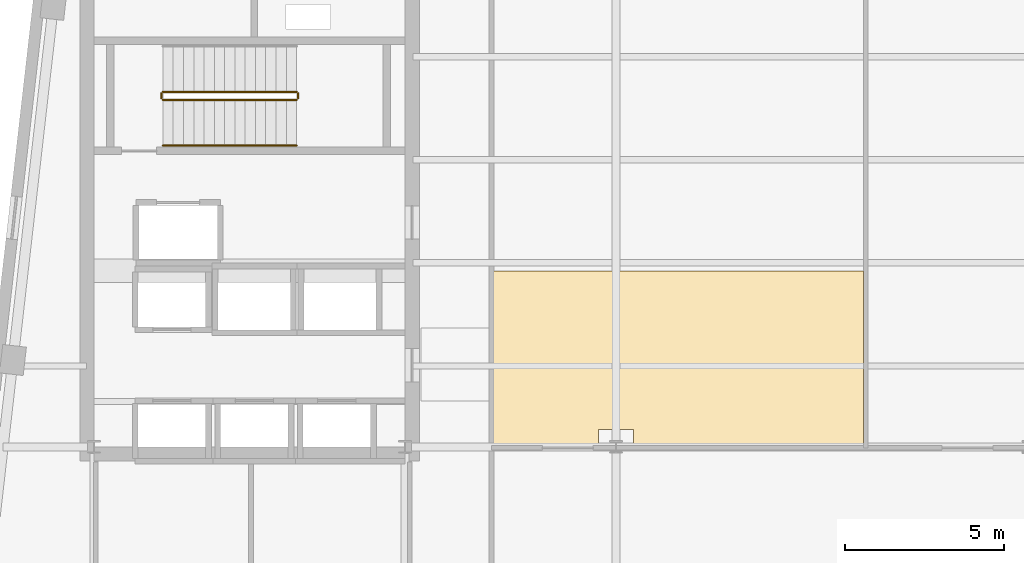
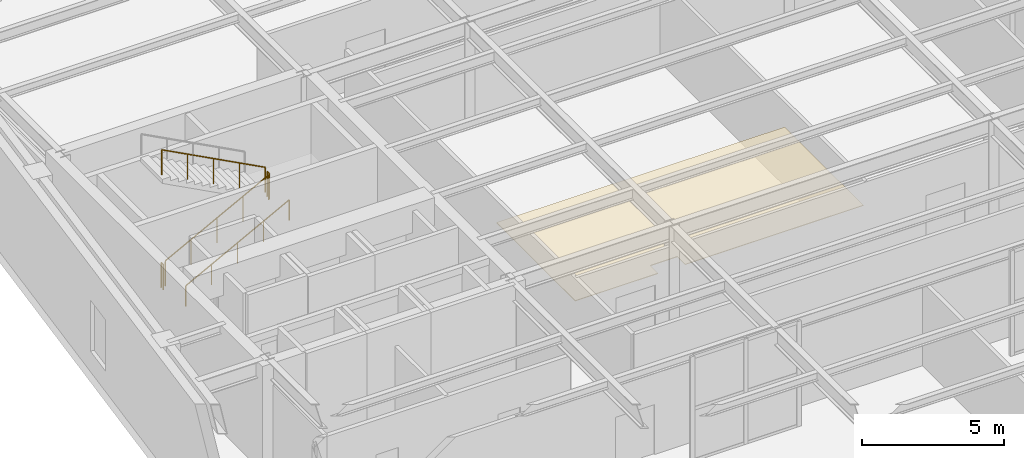
# One storey, part 12 of 15: 5 railings, 1 covering.
"""IFC4 building model written with IfcOpenShell, lengths in metres."""

from ifc_helpers import new_model, si_unit, direction, frame, origin, origin_2d, place, context, subcontext, project, spatial, polyline, circle, outline, extrude, material, layer, layer_set, type_object, element, save


model = new_model("IFC4")

# Units and contexts
model_context = context("Model", 3, precision=1e-05, world=origin(), true_north=direction((0.0, 1.0)))
body_context = subcontext(model_context, "Body", "Model", "MODEL_VIEW")
ifc_project = project(units=[si_unit("LENGTHUNIT", "METRE"), si_unit("AREAUNIT", "SQUARE_METRE"), si_unit("VOLUMEUNIT", "CUBIC_METRE"), si_unit("PLANEANGLEUNIT", "RADIAN"), si_unit("MASSUNIT", "GRAM", prefix="KILO")], contexts=[model_context])

# Site, building, storey
site_placement = place(None, origin())
site = spatial("IfcSite", under=ifc_project, at=site_placement, CompositionType="ELEMENT")
building_placement = place(site_placement, origin())
building = spatial("IfcBuilding", under=site, at=building_placement, Name="Kolvaren Arena Tower", CompositionType="ELEMENT")
storey_placement = place(building_placement, frame((0.0, 0.0, 216.14990234375)))
storey = spatial("IfcBuildingStorey", under=building, at=storey_placement, Name="L52", CompositionType="ELEMENT", Elevation=216.14990234375)

# Covering
ifc_material_1 = material(Name="Mineral fibre acoustic ceiling tile", Category="gypsum")
ifc_layer = layer(ifc_material_1, 0.02490234375)
ifc_layer_set = layer_set([ifc_layer], Name="Mineral fibre acoustic ceiling tile")
covering_type = type_object("IfcCoveringType", Name="CEIL-ACT-1", PredefinedType="CEILING", material=ifc_layer_set)
covering_placement = place(storey_placement, frame((0.0, 0.0, 2.52001953125)))
element("IfcCovering", 1, at=covering_placement, inside=storey, type_object=covering_type, Name="Suspended Ceiling (L52)", PredefinedType="CEILING", context=body_context, shape_type="SweptSolid", body=[
    extrude(outline(polyline([(27.080078125, 19.449951171875), (27.080078125, 25.0), (38.800048828125, 25.0), (38.800048828125, 19.449951171875), (31.550048828125, 19.449951171875), (31.550048828125, 20.0), (30.449951171875, 20.0), (30.449951171875, 19.449951171875), (27.080078125, 19.449951171875)])), origin(), (0.0, 0.0, 1.0), 0.025146484375),
])

# Railings
ifc_material_2 = material(Name="Painted galvanized steel", Category="steel")
railing_type_1 = type_object("IfcRailingType", Name="GUARD-ST-110", PredefinedType="GUARDRAIL", material=ifc_material_2)
railing_1_placement = place(storey_placement, frame((16.719970703125, 30.389892578125, 0.171630859375)))
element("IfcRailing", 2, at=railing_1_placement, inside=storey, type_object=railing_type_1, Name="L52 ST-W1 stair guard 1", PredefinedType="GUARDRAIL", context=body_context, shape_type="SweptSolid", body=[
    extrude(circle(Radius=0.02392578125, at=origin_2d()), frame((0.0, 0.0, 1.076171875), z_axis=(0.883902544957, 0.0, 0.467671135542), x_axis=(0.0, 1.0, 0.0)), (0.0, 0.0, 1.0), 4.76513671875),
    extrude(circle(Radius=0.02099609375, at=origin_2d()), origin(), (0.0, 0.0, 1.0), 1.052001953125),
    extrude(circle(Radius=0.02099609375, at=origin_2d()), frame((1.052978515625, 0.0, 0.55712890625)), (0.0, 0.0, 1.0), 1.052001953125),
    extrude(circle(Radius=0.02099609375, at=origin_2d()), frame((2.10595703125, 0.0, 1.1142578125)), (0.0, 0.0, 1.0), 1.052001953125),
    extrude(circle(Radius=0.02099609375, at=origin_2d()), frame((3.158935546875, 0.0, 1.67138671875)), (0.0, 0.0, 1.0), 1.052001953125),
    extrude(circle(Radius=0.02099609375, at=origin_2d()), frame((4.2119140625, 0.0, 2.228515625)), (0.0, 0.0, 1.0), 1.052001953125),
])
railing_2_placement = place(storey_placement, frame((20.98193359375, 30.43994140625, 2.400146484375)))
element("IfcRailing", 3, at=railing_2_placement, inside=storey, type_object=railing_type_1, Name="L52 ST-W1 stair guard 2", PredefinedType="GUARDRAIL", context=body_context, shape_type="SweptSolid", body=[
    extrude(circle(Radius=0.02392578125, at=origin_2d()), frame((0.0, 0.0, 1.076171875), z_axis=(0.0, 1.0, 0.0), x_axis=(-1.0, 0.0, 0.0)), (0.0, 0.0, 1.0), 0.150146484375),
    extrude(circle(Radius=0.02099609375, at=origin_2d()), origin(), (0.0, 0.0, 1.0), 1.052001953125),
    extrude(circle(Radius=0.02099609375, at=origin_2d()), frame((0.0, 0.150146484375, 0.0)), (0.0, 0.0, 1.0), 1.052001953125),
])
railing_3_placement = place(storey_placement, frame((20.931884765625, 30.639892578125, 2.571533203125)))
element("IfcRailing", 4, at=railing_3_placement, inside=storey, type_object=railing_type_1, Name="L52 ST-W1 stair guard 3", PredefinedType="GUARDRAIL", context=body_context, shape_type="SweptSolid", body=[
    extrude(circle(Radius=0.02392578125, at=origin_2d()), frame((0.0, 0.0, 1.076171875), z_axis=(-0.883902544957, 0.0, 0.467671135542), x_axis=(0.0, -1.0, 0.0)), (0.0, 0.0, 1.0), 4.76513671875),
    extrude(circle(Radius=0.02099609375, at=origin_2d()), origin(), (0.0, 0.0, 1.0), 1.052001953125),
    extrude(circle(Radius=0.02099609375, at=origin_2d()), frame((-1.052978515625, 0.0, 0.55712890625)), (0.0, 0.0, 1.0), 1.052001953125),
    extrude(circle(Radius=0.02099609375, at=origin_2d()), frame((-2.10595703125, 0.0, 1.1142578125)), (0.0, 0.0, 1.0), 1.052001953125),
    extrude(circle(Radius=0.02099609375, at=origin_2d()), frame((-3.158935546875, 0.0, 1.67138671875)), (0.0, 0.0, 1.0), 1.052001953125),
    extrude(circle(Radius=0.02099609375, at=origin_2d()), frame((-4.2119140625, 0.0, 2.228515625)), (0.0, 0.0, 1.0), 1.052001953125),
])
railing_4_placement = place(storey_placement, frame((16.669921875, 30.43994140625, 0.0)))
element("IfcRailing", 5, at=railing_4_placement, inside=storey, type_object=railing_type_1, Name="L52 ST-W1 stair guard 4", PredefinedType="GUARDRAIL", context=body_context, shape_type="SweptSolid", body=[
    extrude(circle(Radius=0.02392578125, at=origin_2d()), frame((0.0, 0.0, 1.076171875), z_axis=(0.0, 1.0, 0.0), x_axis=(-1.0, 0.0, 0.0)), (0.0, 0.0, 1.0), 0.150146484375),
    extrude(circle(Radius=0.02099609375, at=origin_2d()), origin(), (0.0, 0.0, 1.0), 1.052001953125),
    extrude(circle(Radius=0.02099609375, at=origin_2d()), frame((0.0, 0.150146484375, 0.0)), (0.0, 0.0, 1.0), 1.052001953125),
])
ifc_material_3 = material(Name="Brushed stainless steel handrail", Category="steel")
railing_type_2 = type_object("IfcRailingType", Name="HRAIL-900", PredefinedType="HANDRAIL", material=ifc_material_3)
railing_5_placement = place(storey_placement, frame((16.719970703125, 28.949951171875, 0.171630859375)))
element("IfcRailing", 6, at=railing_5_placement, inside=storey, type_object=railing_type_2, Name="L52 ST-W1 stair handrail 1", PredefinedType="HANDRAIL", context=body_context, shape_type="SweptSolid", body=[
    extrude(circle(Radius=0.02392578125, at=origin_2d()), frame((0.0, 0.0, 0.8759765625), z_axis=(0.883902544957, 0.0, 0.467671135542), x_axis=(0.0, 1.0, 0.0)), (0.0, 0.0, 1.0), 4.76513671875),
    extrude(circle(Radius=0.02099609375, at=origin_2d()), origin(), (0.0, 0.0, 1.0), 0.851806640625),
    extrude(circle(Radius=0.02099609375, at=origin_2d()), frame((1.052978515625, 0.0, 0.55712890625)), (0.0, 0.0, 1.0), 0.851806640625),
    extrude(circle(Radius=0.02099609375, at=origin_2d()), frame((2.10595703125, 0.0, 1.1142578125)), (0.0, 0.0, 1.0), 0.851806640625),
    extrude(circle(Radius=0.02099609375, at=origin_2d()), frame((3.158935546875, 0.0, 1.67138671875)), (0.0, 0.0, 1.0), 0.851806640625),
    extrude(circle(Radius=0.02099609375, at=origin_2d()), frame((4.2119140625, 0.0, 2.228515625)), (0.0, 0.0, 1.0), 0.851806640625),
])

save(model, "model.ifc")
